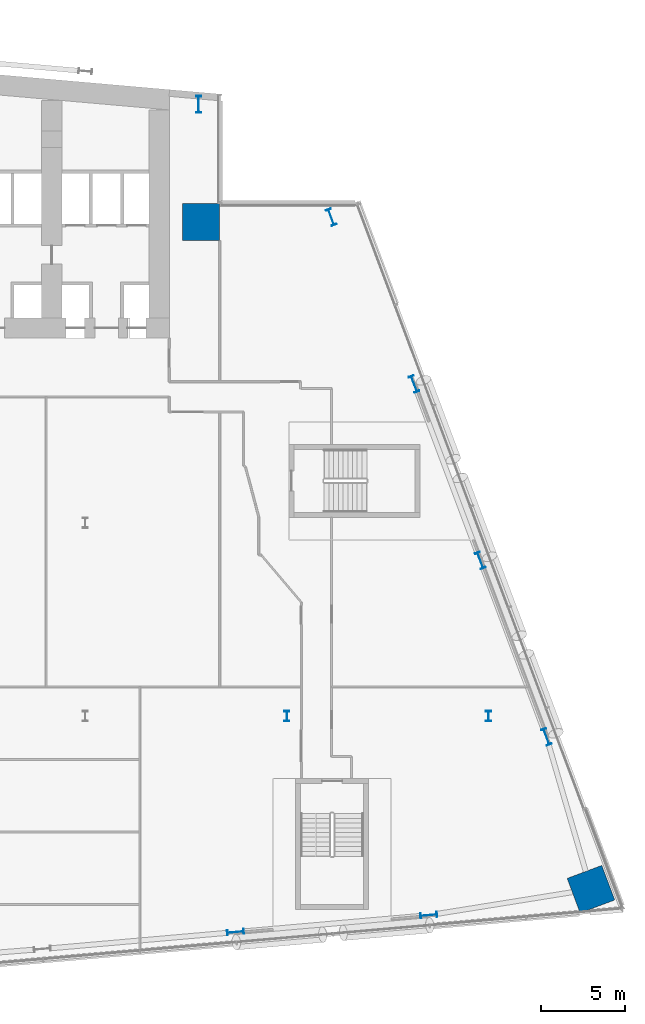
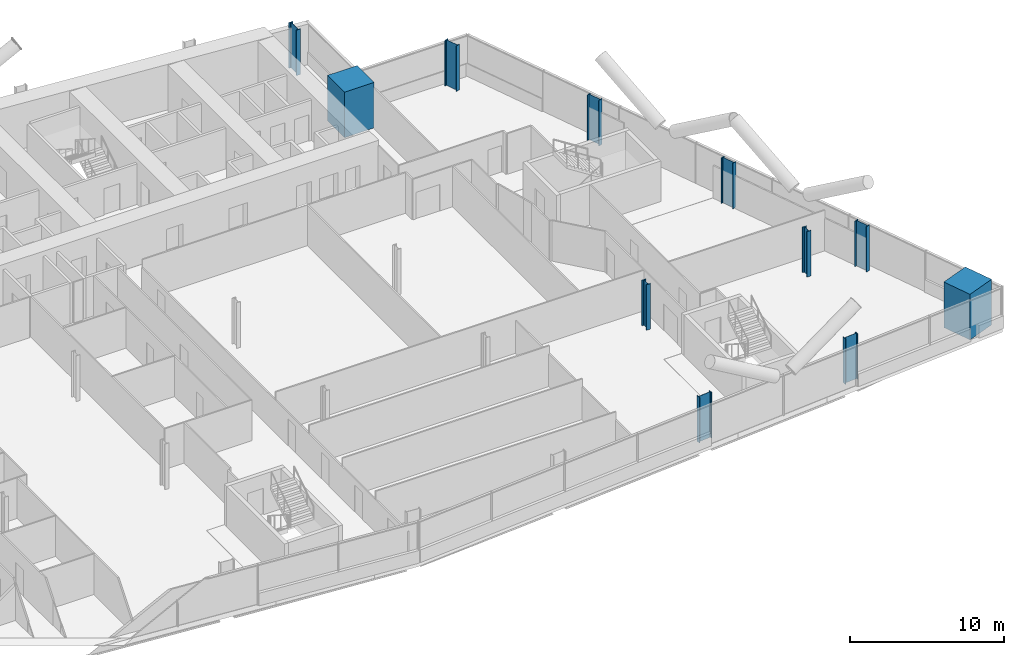
# One storey, part 3 of 27: 11 columns.
"""IFC4 building model written with IfcOpenShell, lengths in metres."""

from ifc_helpers import new_model, si_unit, direction, frame, origin, origin_2d, place, context, subcontext, project, spatial, rectangle, i_section, extrude, material, material_profile, profile_set, type_object, element, save


model = new_model("IFC4")

# Units and contexts
model_context = context("Model", 3, precision=1e-05, world=origin(), true_north=direction((0.0, 1.0)))
body_context = subcontext(model_context, "Body", "Model", "MODEL_VIEW")
ifc_project = project(units=[si_unit("LENGTHUNIT", "METRE"), si_unit("AREAUNIT", "SQUARE_METRE"), si_unit("VOLUMEUNIT", "CUBIC_METRE"), si_unit("PLANEANGLEUNIT", "RADIAN"), si_unit("MASSUNIT", "GRAM", prefix="KILO")], contexts=[model_context])

# Site, building, storey
site_placement = place(None, origin())
site = spatial("IfcSite", under=ifc_project, at=site_placement, CompositionType="ELEMENT")
building_placement = place(site_placement, origin())
building = spatial("IfcBuilding", under=site, at=building_placement, Name="Wharfspan Tower", CompositionType="ELEMENT")
storey_placement = place(building_placement, frame((0.0, 0.0, 77.5)))
storey = spatial("IfcBuildingStorey", under=building, at=storey_placement, Name="L16", CompositionType="ELEMENT", Elevation=77.5)

# Columns
ifc_material_1 = material(Name="Steel S355J2", Category="steel")
ifc_material_profile_1 = material_profile(ifc_material_1, i_section(OverallWidth=0.302002, OverallDepth=1.008057, WebThickness=0.020996, FlangeThickness=0.040039, FilletRadius=0.030029, at=origin_2d()))
ifc_profile_set_1 = profile_set([ifc_material_profile_1], Name="Steel S355J2")
column_type_1 = type_object("IfcColumnType", Name="Column HEM 1000", PredefinedType="COLUMN", material=ifc_profile_set_1)
for number, where, z_axis, x_axis, name in (
    (1, (68.942383, -1.354736, 0.0), (0.0, 0.0, 1.0), (0.087156, -0.996198, 0.0), "Perimeter column PS2.2 L16"),
    (2, (80.442383, -0.348633, 0.0), (0.0, 0.0, 1.0), (0.087156, -0.996198, 0.0), "Perimeter column PS2.3 L16"),
    (3, (87.44458, 10.268311, 0.0), (0.0, 0.0, 1.0), (0.936328, 0.351123, 0.0), "Perimeter column PE.1 L16"),
    (4, (83.50708, 20.768311, 0.0), (0.0, 0.0, 1.0), (0.936328, 0.351123, 0.0), "Perimeter column PE.2 L16"),
    (5, (79.56958, 31.268311, 0.0), (0.0, 0.0, 1.0), (0.936328, 0.351123, 0.0), "Perimeter column PE.3 L16"),
    (6, (74.634277, 41.196289, 0.0), (0.0, 0.0, 1.0), (0.936328, 0.351123, 0.0), "Perimeter column PE.4 L16"),
    (7, (66.747803, 47.915283, 0.0), (0.0, 0.0, 1.0), (1.0, 0.0, 0.0), "Perimeter column PNRE-V.1 L16"),
):
    element("IfcColumn", number, at=place(storey_placement, frame(where, z_axis=z_axis, x_axis=x_axis)), inside=storey, type_object=column_type_1, Name=name, PredefinedType="COLUMN", context=body_context, shape_type="SweptSolid", body=[
        extrude(i_section(OverallWidth=0.302002, OverallDepth=1.008057, WebThickness=0.020996, FlangeThickness=0.040039, FilletRadius=0.030029, at=origin_2d()), origin(), (0.0, 0.0, 1.0), 3.600098),
    ])
ifc_material_profile_2 = material_profile(ifc_material_1, i_section(OverallWidth=0.304932, OverallDepth=0.620117, WebThickness=0.020996, FlangeThickness=0.040039, FilletRadius=0.0271, at=origin_2d()))
ifc_profile_set_2 = profile_set([ifc_material_profile_2], Name="Steel S355J2")
column_type_2 = type_object("IfcColumnType", Name="Column HEM 600", PredefinedType="COLUMN", material=ifc_profile_set_2)
for number, where, z_axis, x_axis, name in (
    (8, (72.0, 11.5, 0.0), (0.0, 0.0, 1.0), (1.0, 0.0, 0.0), "Interior column I.1.6 L16"),
    (9, (84.0, 11.5, 0.0), (0.0, 0.0, 1.0), (1.0, 0.0, 0.0), "Interior column I.1.7 L16"),
):
    element("IfcColumn", number, at=place(storey_placement, frame(where, z_axis=z_axis, x_axis=x_axis)), inside=storey, type_object=column_type_2, Name=name, PredefinedType="COLUMN", context=body_context, shape_type="SweptSolid", body=[
        extrude(i_section(OverallWidth=0.304932, OverallDepth=0.620117, WebThickness=0.020996, FlangeThickness=0.040039, FilletRadius=0.0271, at=origin_2d()), origin(), (0.0, 0.0, 1.0), 3.600098),
    ])
ifc_material_2 = material(Name="Concrete C70/85", Category="concrete")
ifc_material_profile_3 = material_profile(ifc_material_2, rectangle(XDim=2.199951, YDim=2.199951, at=origin_2d()))
ifc_profile_set_3 = profile_set([ifc_material_profile_3], Name="Concrete C70/85")
column_type_3 = type_object("IfcColumnType", Name="Mega column 2200 C70/85", PredefinedType="COLUMN", material=ifc_profile_set_3)
for number, where, z_axis, x_axis, name in (
    (10, (66.899902, 40.899902, 0.0), (0.0, 0.0, 1.0), (1.0, 0.0, 0.0), "Mega column MC3 L16"),
    (11, (90.096436, 1.199707, 0.0), (0.0, 0.0, 1.0), (-0.351123, 0.936328, 0.0), "Mega column MC4 L16"),
):
    element("IfcColumn", number, at=place(storey_placement, frame(where, z_axis=z_axis, x_axis=x_axis)), inside=storey, type_object=column_type_3, Name=name, PredefinedType="COLUMN", context=body_context, shape_type="SweptSolid", body=[
        extrude(rectangle(XDim=2.199951, YDim=2.199951, at=origin_2d()), origin(), (0.0, 0.0, 1.0), 3.600098),
    ])

save(model, "model.ifc")
